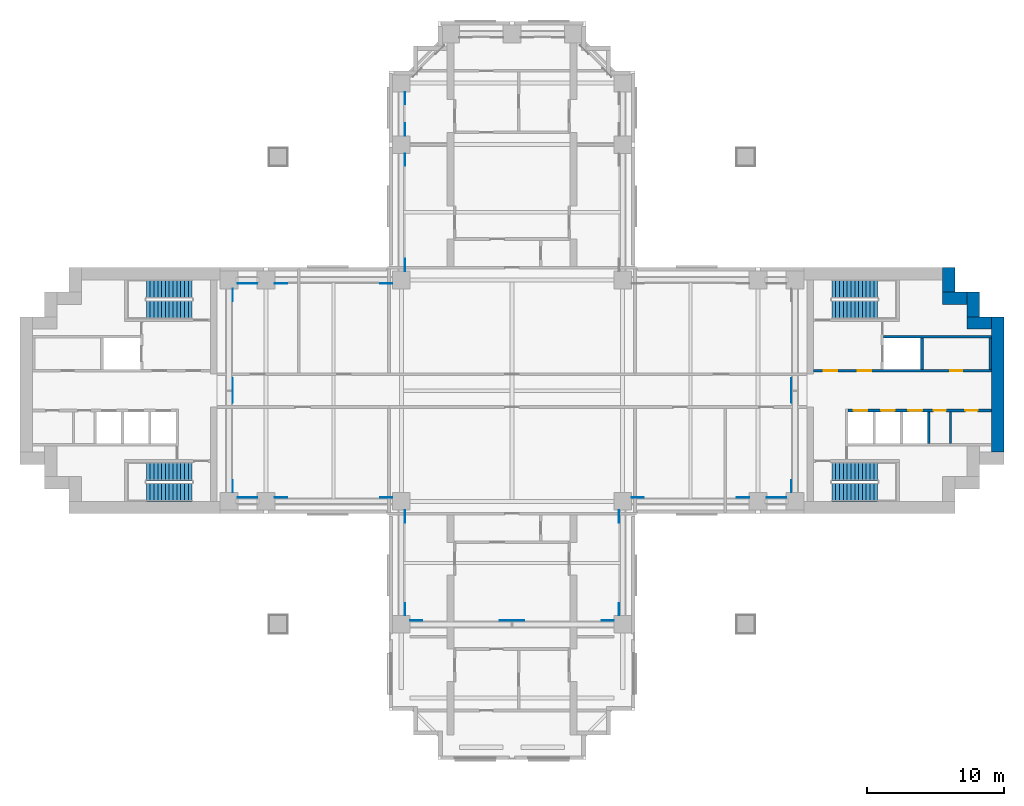
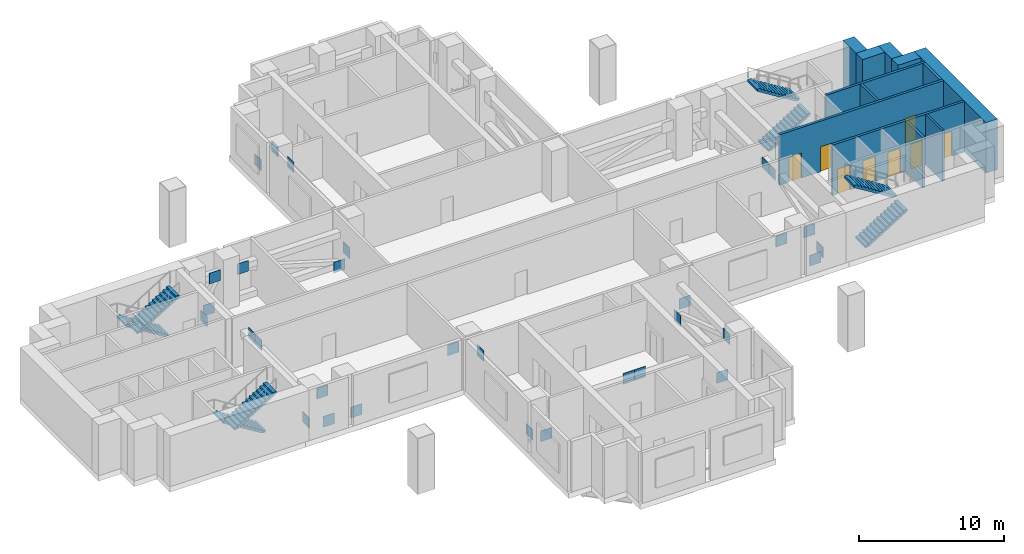
# One storey, part 7 of 10: 31 discrete accessories, 12 walls, 8 doors, 8 stair flights, 8 openings, 4 elements without a shape of their own.
"""IFC4 building model written with IfcOpenShell, lengths in metres."""

from ifc_helpers import new_model, si_unit, direction, frame, frame_2d, origin, origin_2d, place, context, subcontext, project, spatial, polyline, rectangle, outline, extrude, material, layer, layer_set, type_object, element, fill, aggregate, save


model = new_model("IFC4")

# Units and contexts
model_context = context("Model", 3, precision=1e-05, world=origin(), true_north=direction((0.0, 1.0)))
body_context = subcontext(model_context, "Body", "Model", "MODEL_VIEW")
ifc_project = project(units=[si_unit("LENGTHUNIT", "METRE"), si_unit("AREAUNIT", "SQUARE_METRE"), si_unit("VOLUMEUNIT", "CUBIC_METRE"), si_unit("PLANEANGLEUNIT", "RADIAN"), si_unit("MASSUNIT", "GRAM", prefix="KILO")], contexts=[model_context])

# Site, building, storey
site_placement = place(None, origin())
site = spatial("IfcSite", under=ifc_project, at=site_placement, CompositionType="ELEMENT")
building_placement = place(site_placement, origin())
building = spatial("IfcBuilding", under=site, at=building_placement, Name="Perihelion Cross Residences", CompositionType="ELEMENT")
storey_placement = place(building_placement, frame((0.0, 0.0, 97.89990234375)))
storey = spatial("IfcBuildingStorey", under=building, at=storey_placement, Name="L22", CompositionType="ELEMENT", Elevation=97.89990234375)

# Walls
ifc_material_1 = material(Name="Concrete C60/75", Category="concrete")
ifc_layer_1 = layer(ifc_material_1, 0.89990234375)
ifc_layer_set_1 = layer_set([ifc_layer_1], Name="Core wall, outer 900")
wall_type_1 = type_object("IfcWallType", Name="Core wall, outer 900", PredefinedType="SHEAR", material=ifc_layer_set_1)
wall_1_placement = place(storey_placement, frame((35.550048828125, -4.5, 0.0), z_axis=(0.0, 0.0, 1.0), x_axis=(0.0, 1.0, 0.0)))
element("IfcWall", 1, at=wall_1_placement, inside=storey, type_object=wall_type_1, Name="East core core wall, outer", PredefinedType="SHEAR", context=body_context, shape_type="SweptSolid", body=[
    extrude(rectangle(XDim=9.89990234375, YDim=0.89990234375, at=frame_2d((4.949951171875, 0.0))), origin(), (0.0, 0.0, 1.0), 4.25),
])
for number, where, z_axis, x_axis, name in (
    (2, (33.300048828125, 4.949951171875, 0.0), (0.0, 0.0, 1.0), (1.0, 0.0, 0.0), "East core core wall, outer"),
    (3, (33.75, 5.39990234375, 0.0), (0.0, 0.0, 1.0), (0.0, 1.0, 0.0), "East core core wall, outer"),
    (4, (31.5, 6.75, 0.0), (0.0, 0.0, 1.0), (1.0, 0.0, 0.0), "East core core wall, outer"),
    (5, (31.949951171875, 7.199951171875, 0.0), (0.0, 0.0, 1.0), (0.0, 1.0, 0.0), "East core core wall, outer"),
):
    element("IfcWall", number, at=place(storey_placement, frame(where, z_axis=z_axis, x_axis=x_axis)), inside=storey, type_object=wall_type_1, Name=name, PredefinedType="SHEAR", context=body_context, shape_type="SweptSolid", body=[
        extrude(rectangle(XDim=1.800048828125, YDim=0.89990234375, at=frame_2d((0.89990234375, 0.0))), origin(), (0.0, 0.0, 1.0), 4.25),
    ])
ifc_material_2 = material(Name="Fire-rated board on steel stud", Category="steel")
ifc_layer_2 = layer(ifc_material_2, 0.14990234375)
ifc_layer_set_2 = layer_set([ifc_layer_2], Name="Riser wall 150")
wall_type_2 = type_object("IfcWallType", Name="Riser wall 150", PredefinedType="PARTITIONING", material=ifc_layer_set_2)
wall_2_placement = place(storey_placement, frame((32.074951171875, -3.85009765625, 0.0), z_axis=(0.0, 0.0, 1.0), x_axis=(0.0, 1.0, 0.0)))
element("IfcWall", 6, at=wall_2_placement, inside=storey, type_object=wall_type_2, Name="East core riser wall", PredefinedType="PARTITIONING", context=body_context, shape_type="SweptSolid", body=[
    extrude(rectangle(XDim=2.300048828125, YDim=0.14990234375, at=frame_2d((1.14990234375, 0.0))), origin(), (0.0, 0.0, 1.0), 4.25),
])

# Wall, openings, doors
ifc_material_3 = material(Name="Concrete C50/60", Category="concrete")
ifc_layer_3 = layer(ifc_material_3, 0.199951171875)
ifc_layer_set_3 = layer_set([ifc_layer_3], Name="Shaft wall 200")
wall_type_3 = type_object("IfcWallType", Name="Shaft wall 200", PredefinedType="SOLIDWALL", material=ifc_layer_set_3)
wall_3_placement = place(storey_placement, frame((22.050048828125, 1.449951171875, 0.0), z_axis=(0.0, 0.0, 1.0), x_axis=(1.0, 0.0, 0.0)))
wall_3 = element("IfcWall", 7, at=wall_3_placement, inside=storey, type_object=wall_type_3, Name="East core shaft wall", PredefinedType="SOLIDWALL", context=body_context, shape_type="SweptSolid", body=[
    extrude(rectangle(XDim=13.050048828125, YDim=0.199951171875, at=frame_2d((6.52490234375, 0.0))), origin(), (0.0, 0.0, 1.0), 4.25),
])
opening_1_placement = place(wall_3_placement, frame((0.75, 0.0, 0.0)))
opening_1 = element("IfcOpeningElement", 8, at=opening_1_placement, cuts=wall_3, Name="Opening L22.C07", PredefinedType="OPENING", context=body_context, shape_type="SweptSolid", body=[
    extrude(rectangle(XDim=1.0, YDim=2.10009765625, at=frame_2d((0.5, 1.050048828125))), frame((0.0, 0.10986328125, 0.0), z_axis=(0.0, -1.0, 0.0), x_axis=(1.0, 0.0, 0.0)), (0.0, 0.0, 1.0), 0.219970703125),
])
opening_2_placement = place(wall_3_placement, frame((3.25, 0.0, 0.0)))
opening_2 = element("IfcOpeningElement", 9, at=opening_2_placement, cuts=wall_3, Name="Opening L22.C09", PredefinedType="OPENING", context=body_context, shape_type="SweptSolid", body=[
    extrude(rectangle(XDim=1.0, YDim=2.10009765625, at=frame_2d((0.5, 1.050048828125))), frame((0.0, 0.10986328125, 0.0), z_axis=(0.0, -1.0, 0.0), x_axis=(1.0, 0.0, 0.0)), (0.0, 0.0, 1.0), 0.219970703125),
])
opening_3_placement = place(wall_3_placement, frame((10.0, 0.0, 0.0)))
opening_3 = element("IfcOpeningElement", 10, at=opening_3_placement, cuts=wall_3, Name="Opening L22.C12", PredefinedType="OPENING", context=body_context, shape_type="SweptSolid", body=[
    extrude(rectangle(XDim=0.89990234375, YDim=2.10009765625, at=frame_2d((0.449951171875, 1.050048828125))), frame((0.0, 0.10986328125, 0.0), z_axis=(0.0, -1.0, 0.0), x_axis=(1.0, 0.0, 0.0)), (0.0, 0.0, 1.0), 0.219970703125),
])
ifc_material_4 = material(Name="Steel, powder coated", Category="steel")
door_type_1 = type_object("IfcDoorType", Name="Lobby door 1000", OperationType="SINGLE_SWING_LEFT", PredefinedType="DOOR", material=ifc_material_4)
door_1_placement = place(opening_1_placement, origin())
door_1 = element("IfcDoor", 11, at=door_1_placement, inside=storey, type_object=door_type_1, Name="East core firefighting lobby door", OperationType="SINGLE_SWING_LEFT", OverallHeight=2.10009765625, OverallWidth=1.0, PredefinedType="DOOR", context=body_context, shape_type="SweptSolid", body=[
    extrude(rectangle(XDim=1.0, YDim=2.10009765625, at=frame_2d((0.5, 1.050048828125))), frame((0.0, 0.02490234375, 0.0), z_axis=(0.0, -1.0, 0.0), x_axis=(1.0, 0.0, 0.0)), (0.0, 0.0, 1.0), 0.050048828125),
])
fill(opening_1, door_1)
door_2_placement = place(opening_2_placement, origin())
door_2 = element("IfcDoor", 12, at=door_2_placement, inside=storey, type_object=door_type_1, Name="East core firefighting lobby door", OperationType="SINGLE_SWING_LEFT", OverallHeight=2.10009765625, OverallWidth=1.0, PredefinedType="DOOR", context=body_context, shape_type="SweptSolid", body=[
    extrude(rectangle(XDim=1.0, YDim=2.10009765625, at=frame_2d((0.5, 1.050048828125))), frame((0.0, 0.02490234375, 0.0), z_axis=(0.0, -1.0, 0.0), x_axis=(1.0, 0.0, 0.0)), (0.0, 0.0, 1.0), 0.050048828125),
])
fill(opening_2, door_2)
ifc_material_5 = material(Name="Steel, powder coated", Category="steel")
door_type_2 = type_object("IfcDoorType", Name="Service room door 900", OperationType="SINGLE_SWING_LEFT", PredefinedType="DOOR", material=ifc_material_5)
door_3_placement = place(opening_3_placement, origin())
door_3 = element("IfcDoor", 13, at=door_3_placement, inside=storey, type_object=door_type_2, Name="East core service room door", OperationType="SINGLE_SWING_LEFT", OverallHeight=2.10009765625, OverallWidth=0.89990234375, PredefinedType="DOOR", context=body_context, shape_type="SweptSolid", body=[
    extrude(rectangle(XDim=0.89990234375, YDim=2.10009765625, at=frame_2d((0.449951171875, 1.050048828125))), frame((0.0, 0.02490234375, 0.0), z_axis=(0.0, -1.0, 0.0), x_axis=(1.0, 0.0, 0.0)), (0.0, 0.0, 1.0), 0.050048828125),
])
fill(opening_3, door_3)

wall_4_placement = place(storey_placement, frame((24.60009765625, -1.449951171875, 0.0), z_axis=(0.0, 0.0, 1.0), x_axis=(1.0, 0.0, 0.0)))
wall_4 = element("IfcWall", 14, at=wall_4_placement, inside=storey, type_object=wall_type_3, Name="East core shaft wall", PredefinedType="SOLIDWALL", context=body_context, shape_type="SweptSolid", body=[
    extrude(rectangle(XDim=10.5, YDim=0.199951171875, at=frame_2d((5.25, 0.0))), origin(), (0.0, 0.0, 1.0), 4.25),
])
opening_4_placement = place(wall_4_placement, frame((0.39990234375, 0.0, 0.0)))
opening_4 = element("IfcOpeningElement", 15, at=opening_4_placement, cuts=wall_4, Name="Opening L22.C01", PredefinedType="OPENING", context=body_context, shape_type="SweptSolid", body=[
    extrude(rectangle(XDim=1.0, YDim=2.10009765625, at=frame_2d((0.5, 1.050048828125))), frame((0.0, 0.10986328125, 0.0), z_axis=(0.0, -1.0, 0.0), x_axis=(1.0, 0.0, 0.0)), (0.0, 0.0, 1.0), 0.219970703125),
])
opening_5_placement = place(wall_4_placement, frame((2.39990234375, 0.0, 0.0)))
opening_5 = element("IfcOpeningElement", 16, at=opening_5_placement, cuts=wall_4, Name="Opening L22.C03", PredefinedType="OPENING", context=body_context, shape_type="SweptSolid", body=[
    extrude(rectangle(XDim=1.0, YDim=2.10009765625, at=frame_2d((0.5, 1.050048828125))), frame((0.0, 0.10986328125, 0.0), z_axis=(0.0, -1.0, 0.0), x_axis=(1.0, 0.0, 0.0)), (0.0, 0.0, 1.0), 0.219970703125),
])
opening_6_placement = place(wall_4_placement, frame((4.39990234375, 0.0, 0.0)))
opening_6 = element("IfcOpeningElement", 17, at=opening_6_placement, cuts=wall_4, Name="Opening L22.C04", PredefinedType="OPENING", context=body_context, shape_type="SweptSolid", body=[
    extrude(rectangle(XDim=1.0, YDim=2.10009765625, at=frame_2d((0.5, 1.050048828125))), frame((0.0, 0.10986328125, 0.0), z_axis=(0.0, -1.0, 0.0), x_axis=(1.0, 0.0, 0.0)), (0.0, 0.0, 1.0), 0.219970703125),
])
opening_7_placement = place(wall_4_placement, frame((6.25, 0.0, 0.0)))
opening_7 = element("IfcOpeningElement", 18, at=opening_7_placement, cuts=wall_4, Name="Opening L22.C11", PredefinedType="OPENING", context=body_context, shape_type="SweptSolid", body=[
    extrude(rectangle(XDim=0.89990234375, YDim=2.10009765625, at=frame_2d((0.449951171875, 1.050048828125))), frame((0.0, 0.10986328125, 0.0), z_axis=(0.0, -1.0, 0.0), x_axis=(1.0, 0.0, 0.0)), (0.0, 0.0, 1.0), 0.219970703125),
])
opening_8_placement = place(wall_4_placement, frame((8.574951171875, 0.0, 0.0)))
opening_8 = element("IfcOpeningElement", 19, at=opening_8_placement, cuts=wall_4, Name="Opening L22.C13", PredefinedType="OPENING", context=body_context, shape_type="SweptSolid", body=[
    extrude(rectangle(XDim=0.89990234375, YDim=2.10009765625, at=frame_2d((0.449951171875, 1.050048828125))), frame((0.0, 0.10986328125, 0.0), z_axis=(0.0, -1.0, 0.0), x_axis=(1.0, 0.0, 0.0)), (0.0, 0.0, 1.0), 0.219970703125),
])
ifc_material_6 = material(Name="Stainless steel", Category="steel")
door_type_3 = type_object("IfcDoorType", Name="Landing door 1000", OperationType="DOUBLE_DOOR_SLIDING", PredefinedType="DOOR", material=ifc_material_6)
door_4_placement = place(opening_4_placement, origin())
door_4 = element("IfcDoor", 20, at=door_4_placement, inside=storey, type_object=door_type_3, Name="Landing door, East core high-rise lift 1", OperationType="DOUBLE_DOOR_SLIDING", OverallHeight=2.10009765625, OverallWidth=1.0, PredefinedType="DOOR", context=body_context, shape_type="SweptSolid", body=[
    extrude(rectangle(XDim=1.0, YDim=2.10009765625, at=frame_2d((0.5, 1.050048828125))), frame((0.0, 0.02490234375, 0.0), z_axis=(0.0, -1.0, 0.0), x_axis=(1.0, 0.0, 0.0)), (0.0, 0.0, 1.0), 0.050048828125),
])
fill(opening_4, door_4)
door_5_placement = place(opening_5_placement, origin())
door_5 = element("IfcDoor", 21, at=door_5_placement, inside=storey, type_object=door_type_3, Name="Landing door, East core high-rise lift 2", OperationType="DOUBLE_DOOR_SLIDING", OverallHeight=2.10009765625, OverallWidth=1.0, PredefinedType="DOOR", context=body_context, shape_type="SweptSolid", body=[
    extrude(rectangle(XDim=1.0, YDim=2.10009765625, at=frame_2d((0.5, 1.050048828125))), frame((0.0, 0.02490234375, 0.0), z_axis=(0.0, -1.0, 0.0), x_axis=(1.0, 0.0, 0.0)), (0.0, 0.0, 1.0), 0.050048828125),
])
fill(opening_5, door_5)
door_6_placement = place(opening_6_placement, origin())
door_6 = element("IfcDoor", 22, at=door_6_placement, inside=storey, type_object=door_type_3, Name="Landing door, East core high-rise lift 3", OperationType="DOUBLE_DOOR_SLIDING", OverallHeight=2.10009765625, OverallWidth=1.0, PredefinedType="DOOR", context=body_context, shape_type="SweptSolid", body=[
    extrude(rectangle(XDim=1.0, YDim=2.10009765625, at=frame_2d((0.5, 1.050048828125))), frame((0.0, 0.02490234375, 0.0), z_axis=(0.0, -1.0, 0.0), x_axis=(1.0, 0.0, 0.0)), (0.0, 0.0, 1.0), 0.050048828125),
])
fill(opening_6, door_6)
door_7_placement = place(opening_7_placement, origin())
door_7 = element("IfcDoor", 23, at=door_7_placement, inside=storey, type_object=door_type_2, Name="East core service room door", OperationType="SINGLE_SWING_LEFT", OverallHeight=2.10009765625, OverallWidth=0.89990234375, PredefinedType="DOOR", context=body_context, shape_type="SweptSolid", body=[
    extrude(rectangle(XDim=0.89990234375, YDim=2.10009765625, at=frame_2d((0.449951171875, 1.050048828125))), frame((0.0, 0.02490234375, 0.0), z_axis=(0.0, -1.0, 0.0), x_axis=(1.0, 0.0, 0.0)), (0.0, 0.0, 1.0), 0.050048828125),
])
fill(opening_7, door_7)
door_8_placement = place(opening_8_placement, origin())
door_8 = element("IfcDoor", 24, at=door_8_placement, inside=storey, type_object=door_type_2, Name="East core service room door", OperationType="SINGLE_SWING_LEFT", OverallHeight=2.10009765625, OverallWidth=0.89990234375, PredefinedType="DOOR", context=body_context, shape_type="SweptSolid", body=[
    extrude(rectangle(XDim=0.89990234375, YDim=2.10009765625, at=frame_2d((0.449951171875, 1.050048828125))), frame((0.0, 0.02490234375, 0.0), z_axis=(0.0, -1.0, 0.0), x_axis=(1.0, 0.0, 0.0)), (0.0, 0.0, 1.0), 0.050048828125),
])
fill(opening_8, door_8)

# Walls
wall_5_placement = place(storey_placement, frame((27.199951171875, 3.949951171875, 0.0), z_axis=(0.0, 0.0, 1.0), x_axis=(1.0, 0.0, 0.0)))
element("IfcWall", 25, at=wall_5_placement, inside=storey, type_object=wall_type_3, Name="East core shaft wall", PredefinedType="SOLIDWALL", context=body_context, shape_type="SweptSolid", body=[
    extrude(rectangle(XDim=7.900146484375, YDim=0.199951171875, at=frame_2d((3.9501953125, 0.0))), origin(), (0.0, 0.0, 1.0), 4.25),
])
for number, where, z_axis, x_axis, name in (
    (26, (30.0, 1.550048828125, 0.0), (0.0, 0.0, 1.0), (0.0, 1.0, 0.0), "East core shaft wall"),
    (27, (35.0, 1.550048828125, 0.0), (0.0, 0.0, 1.0), (0.0, 1.0, 0.0), "East core shaft wall"),
    (28, (30.5, -3.85009765625, 0.0), (0.0, 0.0, 1.0), (0.0, 1.0, 0.0), "East core shaft wall"),
):
    element("IfcWall", number, at=place(storey_placement, frame(where, z_axis=z_axis, x_axis=x_axis)), inside=storey, type_object=wall_type_3, Name=name, PredefinedType="SOLIDWALL", context=body_context, shape_type="SweptSolid", body=[
        extrude(rectangle(XDim=2.300048828125, YDim=0.199951171875, at=frame_2d((1.14990234375, 0.0))), origin(), (0.0, 0.0, 1.0), 4.25),
    ])

# Stair, stair flights
ifc_material_7 = material(Name="Concrete C40/50", Category="concrete")
stair_type = type_object("IfcStairType", Name="Exit stair, half-turn", PredefinedType="HALF_TURN_STAIR", material=ifc_material_7)
stair_1_placement = place(storey_placement, origin())
stair_1 = element("IfcStair", 29, at=stair_1_placement, inside=storey, type_object=stair_type, Name="L22 East core exit stair 1", PredefinedType="HALF_TURN_STAIR")
ifc_material_8 = material(Name="Concrete C40/50", Category="concrete")
stair_flight_type = type_object("IfcStairFlightType", Name="Exit stair flight", PredefinedType="STRAIGHT", material=ifc_material_8)
stair_flight_1_placement = place(storey_placement, frame((23.39990234375, 5.925048828125, 0.0), z_axis=(0.0, 0.0, 1.0), x_axis=(1.0, 0.0, 0.0)))
stair_flight_1 = element("IfcStairFlight", 30, at=stair_flight_1_placement, type_object=stair_flight_type, Name="ST-E1 flight 1", NumberOfRisers=13, NumberOfTreads=12, PredefinedType="STRAIGHT", RiserHeight=0.173076923, TreadLength=0.28, context=body_context, shape_type="SweptSolid", body=[
    extrude(outline(polyline([(0.0, 0.0), (0.0, 0.173095703125), (0.280029296875, 0.173095703125), (0.280029296875, 0.34619140625), (0.56005859375, 0.34619140625), (0.56005859375, 0.519287109375), (0.840087890625, 0.519287109375), (0.840087890625, 0.6923828125), (1.1201171875, 0.6923828125), (1.1201171875, 0.865478515625), (1.39990234375, 0.865478515625), (1.39990234375, 1.03857421875), (1.679931640625, 1.03857421875), (1.679931640625, 1.21142578125), (1.9599609375, 1.21142578125), (1.9599609375, 1.384521484375), (2.239990234375, 1.384521484375), (2.239990234375, 1.5576171875), (2.52001953125, 1.5576171875), (2.52001953125, 1.730712890625), (2.800048828125, 1.730712890625), (2.800048828125, 1.90380859375), (3.080078125, 1.90380859375), (3.080078125, 2.076904296875), (3.360107421875, 2.076904296875), (3.360107421875, 2.25), (3.360107421875, 1.900634765625), (0.28515625, 0.0), (0.0, 0.0)])), frame((0.0, 0.675048828125, 0.0), z_axis=(0.0, -1.0, 0.0), x_axis=(1.0, 0.0, 0.0)), (0.0, 0.0, 1.0), 1.35009765625),
])
stair_flight_2_placement = place(storey_placement, frame((26.760009765625, 7.425048828125, 2.25), z_axis=(0.0, 0.0, 1.0), x_axis=(-1.0, 0.0, 0.0)))
stair_flight_2 = element("IfcStairFlight", 31, at=stair_flight_2_placement, type_object=stair_flight_type, Name="ST-E1 flight 2", NumberOfRisers=13, NumberOfTreads=12, PredefinedType="STRAIGHT", RiserHeight=0.173076923, TreadLength=0.28, context=body_context, shape_type="SweptSolid", body=[
    extrude(outline(polyline([(0.0, 0.0), (0.0, 0.173095703125), (0.280029296875, 0.173095703125), (0.280029296875, 0.34619140625), (0.56005859375, 0.34619140625), (0.56005859375, 0.519287109375), (0.840087890625, 0.519287109375), (0.840087890625, 0.6923828125), (1.1201171875, 0.6923828125), (1.1201171875, 0.865478515625), (1.39990234375, 0.865478515625), (1.39990234375, 1.03857421875), (1.679931640625, 1.03857421875), (1.679931640625, 1.21142578125), (1.9599609375, 1.21142578125), (1.9599609375, 1.384521484375), (2.239990234375, 1.384521484375), (2.239990234375, 1.5576171875), (2.52001953125, 1.5576171875), (2.52001953125, 1.730712890625), (2.800048828125, 1.730712890625), (2.800048828125, 1.90380859375), (3.080078125, 1.90380859375), (3.080078125, 2.076904296875), (3.360107421875, 2.076904296875), (3.360107421875, 2.25), (3.360107421875, 1.900634765625), (0.28515625, 0.0), (0.0, 0.0)])), frame((0.0, 0.675048828125, 0.0), z_axis=(0.0, -1.0, 0.0), x_axis=(1.0, 0.0, 0.0)), (0.0, 0.0, 1.0), 1.35009765625),
])
aggregate(stair_1, [stair_flight_1, stair_flight_2])

stair_2_placement = place(storey_placement, origin())
stair_2 = element("IfcStair", 32, at=stair_2_placement, inside=storey, type_object=stair_type, Name="L22 East core exit stair 2", PredefinedType="HALF_TURN_STAIR")
stair_flight_3_placement = place(storey_placement, frame((23.39990234375, -7.425048828125, 0.0), z_axis=(0.0, 0.0, 1.0), x_axis=(1.0, 0.0, 0.0)))
stair_flight_3 = element("IfcStairFlight", 33, at=stair_flight_3_placement, type_object=stair_flight_type, Name="ST-E2 flight 1", NumberOfRisers=13, NumberOfTreads=12, PredefinedType="STRAIGHT", RiserHeight=0.173076923, TreadLength=0.28, context=body_context, shape_type="SweptSolid", body=[
    extrude(outline(polyline([(0.0, 0.0), (0.0, 0.173095703125), (0.280029296875, 0.173095703125), (0.280029296875, 0.34619140625), (0.56005859375, 0.34619140625), (0.56005859375, 0.519287109375), (0.840087890625, 0.519287109375), (0.840087890625, 0.6923828125), (1.1201171875, 0.6923828125), (1.1201171875, 0.865478515625), (1.39990234375, 0.865478515625), (1.39990234375, 1.03857421875), (1.679931640625, 1.03857421875), (1.679931640625, 1.21142578125), (1.9599609375, 1.21142578125), (1.9599609375, 1.384521484375), (2.239990234375, 1.384521484375), (2.239990234375, 1.5576171875), (2.52001953125, 1.5576171875), (2.52001953125, 1.730712890625), (2.800048828125, 1.730712890625), (2.800048828125, 1.90380859375), (3.080078125, 1.90380859375), (3.080078125, 2.076904296875), (3.360107421875, 2.076904296875), (3.360107421875, 2.25), (3.360107421875, 1.900634765625), (0.28515625, 0.0), (0.0, 0.0)])), frame((0.0, 0.675048828125, 0.0), z_axis=(0.0, -1.0, 0.0), x_axis=(1.0, 0.0, 0.0)), (0.0, 0.0, 1.0), 1.35009765625),
])
stair_flight_4_placement = place(storey_placement, frame((26.760009765625, -5.925048828125, 2.25), z_axis=(0.0, 0.0, 1.0), x_axis=(-1.0, 0.0, 0.0)))
stair_flight_4 = element("IfcStairFlight", 34, at=stair_flight_4_placement, type_object=stair_flight_type, Name="ST-E2 flight 2", NumberOfRisers=13, NumberOfTreads=12, PredefinedType="STRAIGHT", RiserHeight=0.173076923, TreadLength=0.28, context=body_context, shape_type="SweptSolid", body=[
    extrude(outline(polyline([(0.0, 0.0), (0.0, 0.173095703125), (0.280029296875, 0.173095703125), (0.280029296875, 0.34619140625), (0.56005859375, 0.34619140625), (0.56005859375, 0.519287109375), (0.840087890625, 0.519287109375), (0.840087890625, 0.6923828125), (1.1201171875, 0.6923828125), (1.1201171875, 0.865478515625), (1.39990234375, 0.865478515625), (1.39990234375, 1.03857421875), (1.679931640625, 1.03857421875), (1.679931640625, 1.21142578125), (1.9599609375, 1.21142578125), (1.9599609375, 1.384521484375), (2.239990234375, 1.384521484375), (2.239990234375, 1.5576171875), (2.52001953125, 1.5576171875), (2.52001953125, 1.730712890625), (2.800048828125, 1.730712890625), (2.800048828125, 1.90380859375), (3.080078125, 1.90380859375), (3.080078125, 2.076904296875), (3.360107421875, 2.076904296875), (3.360107421875, 2.25), (3.360107421875, 1.900634765625), (0.28515625, 0.0), (0.0, 0.0)])), frame((0.0, 0.675048828125, 0.0), z_axis=(0.0, -1.0, 0.0), x_axis=(1.0, 0.0, 0.0)), (0.0, 0.0, 1.0), 1.35009765625),
])
aggregate(stair_2, [stair_flight_3, stair_flight_4])

stair_3_placement = place(storey_placement, origin())
stair_3 = element("IfcStair", 35, at=stair_3_placement, inside=storey, type_object=stair_type, Name="L22 West core exit stair 1", PredefinedType="HALF_TURN_STAIR")
stair_flight_5_placement = place(storey_placement, frame((-23.39990234375, 7.425048828125, 0.0), z_axis=(0.0, 0.0, 1.0), x_axis=(-1.0, 0.0, 0.0)))
stair_flight_5 = element("IfcStairFlight", 36, at=stair_flight_5_placement, type_object=stair_flight_type, Name="ST-W1 flight 1", NumberOfRisers=13, NumberOfTreads=12, PredefinedType="STRAIGHT", RiserHeight=0.173076923, TreadLength=0.28, context=body_context, shape_type="SweptSolid", body=[
    extrude(outline(polyline([(0.0, 0.0), (0.0, 0.173095703125), (0.280029296875, 0.173095703125), (0.280029296875, 0.34619140625), (0.56005859375, 0.34619140625), (0.56005859375, 0.519287109375), (0.840087890625, 0.519287109375), (0.840087890625, 0.6923828125), (1.1201171875, 0.6923828125), (1.1201171875, 0.865478515625), (1.39990234375, 0.865478515625), (1.39990234375, 1.03857421875), (1.679931640625, 1.03857421875), (1.679931640625, 1.21142578125), (1.9599609375, 1.21142578125), (1.9599609375, 1.384521484375), (2.239990234375, 1.384521484375), (2.239990234375, 1.5576171875), (2.52001953125, 1.5576171875), (2.52001953125, 1.730712890625), (2.800048828125, 1.730712890625), (2.800048828125, 1.90380859375), (3.080078125, 1.90380859375), (3.080078125, 2.076904296875), (3.360107421875, 2.076904296875), (3.360107421875, 2.25), (3.360107421875, 1.900634765625), (0.28515625, 0.0), (0.0, 0.0)])), frame((0.0, 0.675048828125, 0.0), z_axis=(0.0, -1.0, 0.0), x_axis=(1.0, 0.0, 0.0)), (0.0, 0.0, 1.0), 1.35009765625),
])
stair_flight_6_placement = place(storey_placement, frame((-26.760009765625, 5.925048828125, 2.25), z_axis=(0.0, 0.0, 1.0), x_axis=(1.0, 0.0, 0.0)))
stair_flight_6 = element("IfcStairFlight", 37, at=stair_flight_6_placement, type_object=stair_flight_type, Name="ST-W1 flight 2", NumberOfRisers=13, NumberOfTreads=12, PredefinedType="STRAIGHT", RiserHeight=0.173076923, TreadLength=0.28, context=body_context, shape_type="SweptSolid", body=[
    extrude(outline(polyline([(0.0, 0.0), (0.0, 0.173095703125), (0.280029296875, 0.173095703125), (0.280029296875, 0.34619140625), (0.56005859375, 0.34619140625), (0.56005859375, 0.519287109375), (0.840087890625, 0.519287109375), (0.840087890625, 0.6923828125), (1.1201171875, 0.6923828125), (1.1201171875, 0.865478515625), (1.39990234375, 0.865478515625), (1.39990234375, 1.03857421875), (1.679931640625, 1.03857421875), (1.679931640625, 1.21142578125), (1.9599609375, 1.21142578125), (1.9599609375, 1.384521484375), (2.239990234375, 1.384521484375), (2.239990234375, 1.5576171875), (2.52001953125, 1.5576171875), (2.52001953125, 1.730712890625), (2.800048828125, 1.730712890625), (2.800048828125, 1.90380859375), (3.080078125, 1.90380859375), (3.080078125, 2.076904296875), (3.360107421875, 2.076904296875), (3.360107421875, 2.25), (3.360107421875, 1.900634765625), (0.28515625, 0.0), (0.0, 0.0)])), frame((0.0, 0.675048828125, 0.0), z_axis=(0.0, -1.0, 0.0), x_axis=(1.0, 0.0, 0.0)), (0.0, 0.0, 1.0), 1.35009765625),
])
aggregate(stair_3, [stair_flight_5, stair_flight_6])

stair_4_placement = place(storey_placement, origin())
stair_4 = element("IfcStair", 38, at=stair_4_placement, inside=storey, type_object=stair_type, Name="L22 West core exit stair 2", PredefinedType="HALF_TURN_STAIR")
stair_flight_7_placement = place(storey_placement, frame((-23.39990234375, -5.925048828125, 0.0), z_axis=(0.0, 0.0, 1.0), x_axis=(-1.0, 0.0, 0.0)))
stair_flight_7 = element("IfcStairFlight", 39, at=stair_flight_7_placement, type_object=stair_flight_type, Name="ST-W2 flight 1", NumberOfRisers=13, NumberOfTreads=12, PredefinedType="STRAIGHT", RiserHeight=0.173076923, TreadLength=0.28, context=body_context, shape_type="SweptSolid", body=[
    extrude(outline(polyline([(0.0, 0.0), (0.0, 0.173095703125), (0.280029296875, 0.173095703125), (0.280029296875, 0.34619140625), (0.56005859375, 0.34619140625), (0.56005859375, 0.519287109375), (0.840087890625, 0.519287109375), (0.840087890625, 0.6923828125), (1.1201171875, 0.6923828125), (1.1201171875, 0.865478515625), (1.39990234375, 0.865478515625), (1.39990234375, 1.03857421875), (1.679931640625, 1.03857421875), (1.679931640625, 1.21142578125), (1.9599609375, 1.21142578125), (1.9599609375, 1.384521484375), (2.239990234375, 1.384521484375), (2.239990234375, 1.5576171875), (2.52001953125, 1.5576171875), (2.52001953125, 1.730712890625), (2.800048828125, 1.730712890625), (2.800048828125, 1.90380859375), (3.080078125, 1.90380859375), (3.080078125, 2.076904296875), (3.360107421875, 2.076904296875), (3.360107421875, 2.25), (3.360107421875, 1.900634765625), (0.28515625, 0.0), (0.0, 0.0)])), frame((0.0, 0.675048828125, 0.0), z_axis=(0.0, -1.0, 0.0), x_axis=(1.0, 0.0, 0.0)), (0.0, 0.0, 1.0), 1.35009765625),
])
stair_flight_8_placement = place(storey_placement, frame((-26.760009765625, -7.425048828125, 2.25), z_axis=(0.0, 0.0, 1.0), x_axis=(1.0, 0.0, 0.0)))
stair_flight_8 = element("IfcStairFlight", 40, at=stair_flight_8_placement, type_object=stair_flight_type, Name="ST-W2 flight 2", NumberOfRisers=13, NumberOfTreads=12, PredefinedType="STRAIGHT", RiserHeight=0.173076923, TreadLength=0.28, context=body_context, shape_type="SweptSolid", body=[
    extrude(outline(polyline([(0.0, 0.0), (0.0, 0.173095703125), (0.280029296875, 0.173095703125), (0.280029296875, 0.34619140625), (0.56005859375, 0.34619140625), (0.56005859375, 0.519287109375), (0.840087890625, 0.519287109375), (0.840087890625, 0.6923828125), (1.1201171875, 0.6923828125), (1.1201171875, 0.865478515625), (1.39990234375, 0.865478515625), (1.39990234375, 1.03857421875), (1.679931640625, 1.03857421875), (1.679931640625, 1.21142578125), (1.9599609375, 1.21142578125), (1.9599609375, 1.384521484375), (2.239990234375, 1.384521484375), (2.239990234375, 1.5576171875), (2.52001953125, 1.5576171875), (2.52001953125, 1.730712890625), (2.800048828125, 1.730712890625), (2.800048828125, 1.90380859375), (3.080078125, 1.90380859375), (3.080078125, 2.076904296875), (3.360107421875, 2.076904296875), (3.360107421875, 2.25), (3.360107421875, 1.900634765625), (0.28515625, 0.0), (0.0, 0.0)])), frame((0.0, 0.675048828125, 0.0), z_axis=(0.0, -1.0, 0.0), x_axis=(1.0, 0.0, 0.0)), (0.0, 0.0, 1.0), 1.35009765625),
])
aggregate(stair_4, [stair_flight_7, stair_flight_8])

# Discrete accessories
ifc_material_9 = material(Name="Steel S355", Category="steel")
discrete_accessory_type = type_object("IfcDiscreteAccessoryType", Name="Gusset plate 900 x 900 x 30, steel S355", PredefinedType="BRACKET", material=ifc_material_9)
for number, where, z_axis, x_axis, name in (
    (41, (-7.8310546875, 21.39990234375, -0.19580078125), (0.0, 0.0, 1.0), (0.0, -1.0, 0.0), "Gusset plate 900 x 900 x 30"),
    (42, (-7.8310546875, 19.10009765625, 2.34619140625), (0.0, 0.0, 1.0), (0.0, 1.0, 0.0), "Gusset plate 900 x 900 x 30"),
    (43, (-7.8310546875, 9.199951171875, -0.19580078125), (0.0, 0.0, 1.0), (0.0, 1.0, 0.0), "Gusset plate 900 x 900 x 30"),
    (44, (-7.8310546875, 16.89990234375, 2.34619140625), (0.0, 0.0, 1.0), (0.0, -1.0, 0.0), "Gusset plate 900 x 900 x 30"),
    (45, (-9.199951171875, 7.8310546875, -0.19580078125), (0.0, 0.0, 1.0), (-1.0, 0.0, 0.0), "Gusset plate 900 x 900 x 30"),
    (46, (-16.89990234375, 7.8310546875, 2.34619140625), (0.0, 0.0, 1.0), (1.0, 0.0, 0.0), "Gusset plate 900 x 900 x 30"),
    (47, (-19.60009765625, 7.8310546875, -0.19580078125), (0.0, 0.0, 1.0), (1.0, 0.0, 0.0), "Gusset plate 900 x 900 x 30"),
    (48, (-19.10009765625, 7.8310546875, 2.34619140625), (0.0, 0.0, 1.0), (-1.0, 0.0, 0.0), "Gusset plate 900 x 900 x 30"),
    (49, (-20.430908203125, 0.449951171875, 2.34619140625), (0.0, 0.0, 1.0), (0.0, 1.0, 0.0), "Gusset plate 900 x 900 x 30"),
    (50, (-20.430908203125, -0.449951171875, 2.34619140625), (0.0, 0.0, 1.0), (0.0, -1.0, 0.0), "Gusset plate 900 x 900 x 30"),
    (51, (-20.430908203125, 7.0, -0.19580078125), (0.0, 0.0, 1.0), (0.0, -1.0, 0.0), "Gusset plate 900 x 900 x 30"),
    (52, (-20.430908203125, -7.0, -0.19580078125), (0.0, 0.0, 1.0), (0.0, 1.0, 0.0), "Gusset plate 900 x 900 x 30"),
    (53, (-19.10009765625, -7.8310546875, -0.19580078125), (0.0, 0.0, 1.0), (-1.0, 0.0, 0.0), "Gusset plate 900 x 900 x 30"),
    (54, (-19.60009765625, -7.8310546875, 2.34619140625), (0.0, 0.0, 1.0), (1.0, 0.0, 0.0), "Gusset plate 900 x 900 x 30"),
    (55, (-16.89990234375, -7.8310546875, -0.19580078125), (0.0, 0.0, 1.0), (1.0, 0.0, 0.0), "Gusset plate 900 x 900 x 30"),
    (56, (-9.199951171875, -7.8310546875, 2.34619140625), (0.0, 0.0, 1.0), (-1.0, 0.0, 0.0), "Gusset plate 900 x 900 x 30"),
    (57, (-7.8310546875, -16.0, -0.19580078125), (0.0, 0.0, 1.0), (0.0, 1.0, 0.0), "Gusset plate 900 x 900 x 30"),
    (58, (-7.8310546875, -9.199951171875, 2.34619140625), (0.0, 0.0, 1.0), (0.0, -1.0, 0.0), "Gusset plate 900 x 900 x 30"),
    (59, (-0.449951171875, -16.8310546875, 2.34619140625), (0.0, 0.0, 1.0), (-1.0, 0.0, 0.0), "Gusset plate 900 x 900 x 30"),
    (60, (0.449951171875, -16.8310546875, 2.34619140625), (0.0, 0.0, 1.0), (1.0, 0.0, 0.0), "Gusset plate 900 x 900 x 30"),
    (61, (-7.0, -16.8310546875, -0.19580078125), (0.0, 0.0, 1.0), (1.0, 0.0, 0.0), "Gusset plate 900 x 900 x 30"),
    (62, (7.0, -16.8310546875, -0.19580078125), (0.0, 0.0, 1.0), (-1.0, 0.0, 0.0), "Gusset plate 900 x 900 x 30"),
    (63, (7.8310546875, -9.199951171875, -0.19580078125), (0.0, 0.0, 1.0), (0.0, -1.0, 0.0), "Gusset plate 900 x 900 x 30"),
    (64, (7.8310546875, -16.0, 2.34619140625), (0.0, 0.0, 1.0), (0.0, 1.0, 0.0), "Gusset plate 900 x 900 x 30"),
    (65, (9.199951171875, -7.8310546875, -0.19580078125), (0.0, 0.0, 1.0), (1.0, 0.0, 0.0), "Gusset plate 900 x 900 x 30"),
    (66, (16.89990234375, -7.8310546875, 2.34619140625), (0.0, 0.0, 1.0), (-1.0, 0.0, 0.0), "Gusset plate 900 x 900 x 30"),
    (67, (19.60009765625, -7.8310546875, -0.19580078125), (0.0, 0.0, 1.0), (-1.0, 0.0, 0.0), "Gusset plate 900 x 900 x 30"),
    (68, (19.10009765625, -7.8310546875, 2.34619140625), (0.0, 0.0, 1.0), (1.0, 0.0, 0.0), "Gusset plate 900 x 900 x 30"),
    (69, (20.430908203125, -0.449951171875, 2.34619140625), (0.0, 0.0, 1.0), (0.0, -1.0, 0.0), "Gusset plate 900 x 900 x 30"),
    (70, (20.430908203125, 0.449951171875, 2.34619140625), (0.0, 0.0, 1.0), (0.0, 1.0, 0.0), "Gusset plate 900 x 900 x 30"),
    (71, (20.430908203125, -7.0, -0.19580078125), (0.0, 0.0, 1.0), (0.0, 1.0, 0.0), "Gusset plate 900 x 900 x 30"),
):
    element("IfcDiscreteAccessory", number, at=place(storey_placement, frame(where, z_axis=z_axis, x_axis=x_axis)), inside=storey, type_object=discrete_accessory_type, Name=name, PredefinedType="BRACKET", context=body_context, shape_type="SweptSolid", body=[
        extrude(rectangle(XDim=0.89990234375, YDim=0.030029296875, at=origin_2d()), origin(), (0.0, 0.0, 1.0), 0.89990234375),
    ])

save(model, "model.ifc")
